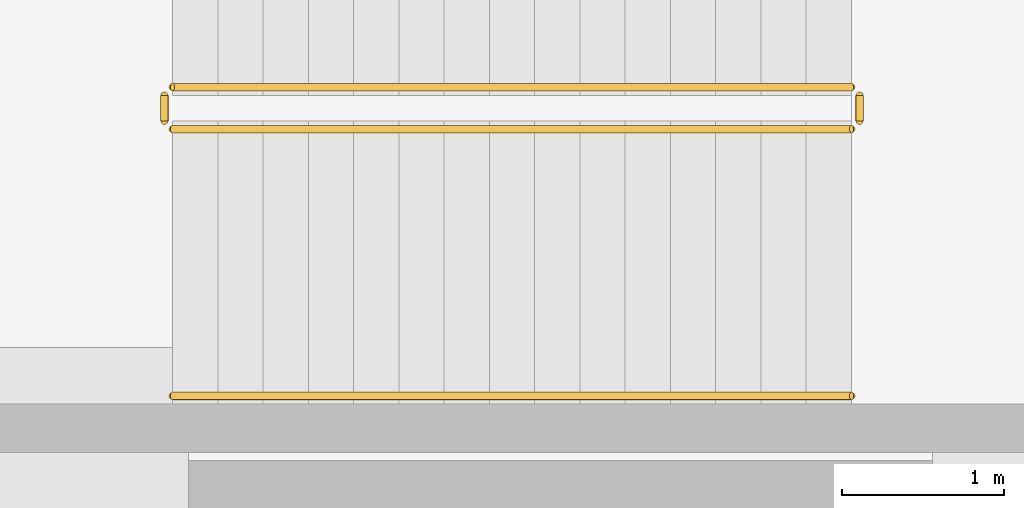
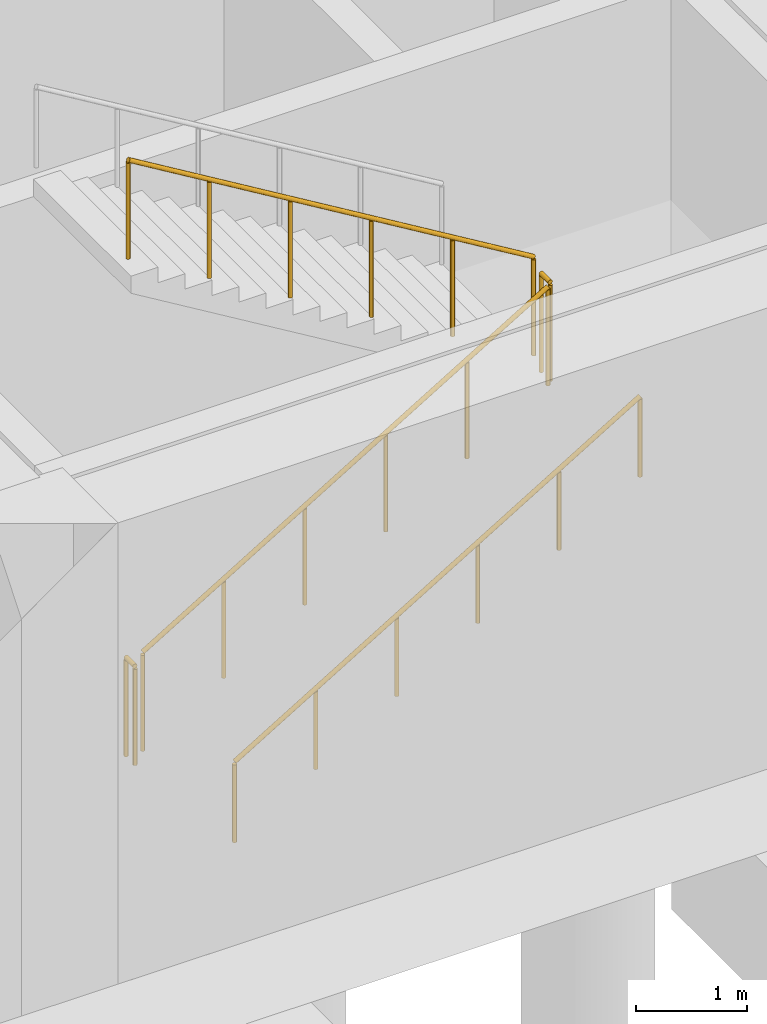
# One storey, part 18 of 24: 5 railings.
"""IFC4 building model written with IfcOpenShell, lengths in metres."""

from ifc_helpers import new_model, si_unit, direction, frame, origin, origin_2d, place, context, subcontext, project, spatial, circle, extrude, material, type_object, element, save


model = new_model("IFC4")

# Units and contexts
model_context = context("Model", 3, precision=1e-05, world=origin(), true_north=direction((0.0, 1.0)))
body_context = subcontext(model_context, "Body", "Model", "MODEL_VIEW")
ifc_project = project(units=[si_unit("LENGTHUNIT", "METRE"), si_unit("AREAUNIT", "SQUARE_METRE"), si_unit("VOLUMEUNIT", "CUBIC_METRE"), si_unit("PLANEANGLEUNIT", "RADIAN"), si_unit("MASSUNIT", "GRAM", prefix="KILO")], contexts=[model_context])

# Site, building, storey
site_placement = place(None, origin())
site = spatial("IfcSite", under=ifc_project, at=site_placement, CompositionType="ELEMENT")
building_placement = place(site_placement, origin())
building = spatial("IfcBuilding", under=site, at=building_placement, Name="Coralgate Yard Interchange", CompositionType="ELEMENT")
storey_placement = place(building_placement, frame((0.0, 0.0, -10.800048828125)))
storey = spatial("IfcBuildingStorey", under=building, at=storey_placement, Name="B2", CompositionType="ELEMENT", Elevation=-10.800048828125)

# Railings
ifc_material_1 = material(Name="Grade 316 marine stainless steel and toughened glass balustrade", Category="steel")
railing_type_1 = type_object("IfcRailingType", Name="RLG-GD1100", PredefinedType="BALUSTRADE", material=ifc_material_1)
railing_1_placement = place(storey_placement, frame((88.800048828125, 40.75, 0.168701171875)))
element("IfcRailing", 1, at=railing_1_placement, inside=storey, type_object=railing_type_1, Name="B2 ST-06 stair guard 1", PredefinedType="BALUSTRADE", context=body_context, shape_type="SweptSolid", body=[
    extrude(circle(Radius=0.02392578125, at=origin_2d()), frame((0.0, 0.0, 1.076171875), z_axis=(0.856476492594, 0.0, 0.516186030065), x_axis=(0.0, 1.0, 0.0)), (0.0, 0.0, 1.0), 4.90380859375),
    extrude(circle(Radius=0.02099609375, at=origin_2d()), origin(), (0.0, 0.0, 1.0), 1.051513671875),
    extrude(circle(Radius=0.02099609375, at=origin_2d()), frame((0.840087890625, 0.0, 0.50634765625)), (0.0, 0.0, 1.0), 1.051513671875),
    extrude(circle(Radius=0.02099609375, at=origin_2d()), frame((1.679931640625, 0.0, 1.012451171875)), (0.0, 0.0, 1.0), 1.051513671875),
    extrude(circle(Radius=0.02099609375, at=origin_2d()), frame((2.52001953125, 0.0, 1.518798828125)), (0.0, 0.0, 1.0), 1.051513671875),
    extrude(circle(Radius=0.02099609375, at=origin_2d()), frame((3.35986328125, 0.0, 2.02490234375)), (0.0, 0.0, 1.0), 1.051513671875),
    extrude(circle(Radius=0.02099609375, at=origin_2d()), frame((4.199951171875, 0.0, 2.53125)), (0.0, 0.0, 1.0), 1.051513671875),
])
railing_2_placement = place(storey_placement, frame((93.050048828125, 40.800048828125, 2.699951171875)))
element("IfcRailing", 2, at=railing_2_placement, inside=storey, type_object=railing_type_1, Name="B2 ST-06 stair guard 2", PredefinedType="BALUSTRADE", context=body_context, shape_type="SweptSolid", body=[
    extrude(circle(Radius=0.02392578125, at=origin_2d()), frame((0.0, 0.0, 1.076171875), z_axis=(0.0, 1.0, 0.0), x_axis=(-1.0, 0.0, 0.0)), (0.0, 0.0, 1.0), 0.159912109375),
    extrude(circle(Radius=0.02099609375, at=origin_2d()), origin(), (0.0, 0.0, 1.0), 1.051513671875),
    extrude(circle(Radius=0.02099609375, at=origin_2d()), frame((0.0, 0.159912109375, 0.0)), (0.0, 0.0, 1.0), 1.051513671875),
])
railing_3_placement = place(storey_placement, frame((93.0, 41.010009765625, 2.868896484375)))
element("IfcRailing", 3, at=railing_3_placement, inside=storey, type_object=railing_type_1, Name="B2 ST-06 stair guard 3", PredefinedType="BALUSTRADE", context=body_context, shape_type="SweptSolid", body=[
    extrude(circle(Radius=0.02392578125, at=origin_2d()), frame((0.0, 0.0, 1.076171875), z_axis=(-0.856476492594, 0.0, 0.516186030065), x_axis=(0.0, -1.0, 0.0)), (0.0, 0.0, 1.0), 4.90380859375),
    extrude(circle(Radius=0.02099609375, at=origin_2d()), origin(), (0.0, 0.0, 1.0), 1.051513671875),
    extrude(circle(Radius=0.02099609375, at=origin_2d()), frame((-0.840087890625, 0.0, 0.50634765625)), (0.0, 0.0, 1.0), 1.051513671875),
    extrude(circle(Radius=0.02099609375, at=origin_2d()), frame((-1.679931640625, 0.0, 1.012451171875)), (0.0, 0.0, 1.0), 1.051513671875),
    extrude(circle(Radius=0.02099609375, at=origin_2d()), frame((-2.52001953125, 0.0, 1.518798828125)), (0.0, 0.0, 1.0), 1.051513671875),
    extrude(circle(Radius=0.02099609375, at=origin_2d()), frame((-3.35986328125, 0.0, 2.02490234375)), (0.0, 0.0, 1.0), 1.051513671875),
    extrude(circle(Radius=0.02099609375, at=origin_2d()), frame((-4.199951171875, 0.0, 2.53125)), (0.0, 0.0, 1.0), 1.051513671875),
])
railing_4_placement = place(storey_placement, frame((88.75, 40.800048828125, 0.0)))
element("IfcRailing", 4, at=railing_4_placement, inside=storey, type_object=railing_type_1, Name="B2 ST-06 stair guard 4", PredefinedType="BALUSTRADE", context=body_context, shape_type="SweptSolid", body=[
    extrude(circle(Radius=0.02392578125, at=origin_2d()), frame((0.0, 0.0, 1.076171875), z_axis=(0.0, 1.0, 0.0), x_axis=(-1.0, 0.0, 0.0)), (0.0, 0.0, 1.0), 0.159912109375),
    extrude(circle(Radius=0.02099609375, at=origin_2d()), origin(), (0.0, 0.0, 1.0), 1.051513671875),
    extrude(circle(Radius=0.02099609375, at=origin_2d()), frame((0.0, 0.159912109375, 0.0)), (0.0, 0.0, 1.0), 1.051513671875),
])
ifc_material_2 = material(Name="Grade 316 marine stainless steel", Category="steel")
railing_type_2 = type_object("IfcRailingType", Name="RLG-HR900", PredefinedType="HANDRAIL", material=ifc_material_2)
railing_5_placement = place(storey_placement, frame((88.800048828125, 39.10009765625, 0.168701171875)))
element("IfcRailing", 5, at=railing_5_placement, inside=storey, type_object=railing_type_2, Name="B2 ST-06 stair handrail 1", PredefinedType="HANDRAIL", context=body_context, shape_type="SweptSolid", body=[
    extrude(circle(Radius=0.02392578125, at=origin_2d()), frame((0.0, 0.0, 0.8759765625), z_axis=(0.856476492594, 0.0, 0.516186030065), x_axis=(0.0, 1.0, 0.0)), (0.0, 0.0, 1.0), 4.90380859375),
    extrude(circle(Radius=0.02099609375, at=origin_2d()), origin(), (0.0, 0.0, 1.0), 0.851318359375),
    extrude(circle(Radius=0.02099609375, at=origin_2d()), frame((0.840087890625, 0.0, 0.50634765625)), (0.0, 0.0, 1.0), 0.851318359375),
    extrude(circle(Radius=0.02099609375, at=origin_2d()), frame((1.679931640625, 0.0, 1.012451171875)), (0.0, 0.0, 1.0), 0.851318359375),
    extrude(circle(Radius=0.02099609375, at=origin_2d()), frame((2.52001953125, 0.0, 1.518798828125)), (0.0, 0.0, 1.0), 0.851318359375),
    extrude(circle(Radius=0.02099609375, at=origin_2d()), frame((3.35986328125, 0.0, 2.02490234375)), (0.0, 0.0, 1.0), 0.851318359375),
    extrude(circle(Radius=0.02099609375, at=origin_2d()), frame((4.199951171875, 0.0, 2.53125)), (0.0, 0.0, 1.0), 0.851318359375),
])

save(model, "model.ifc")
